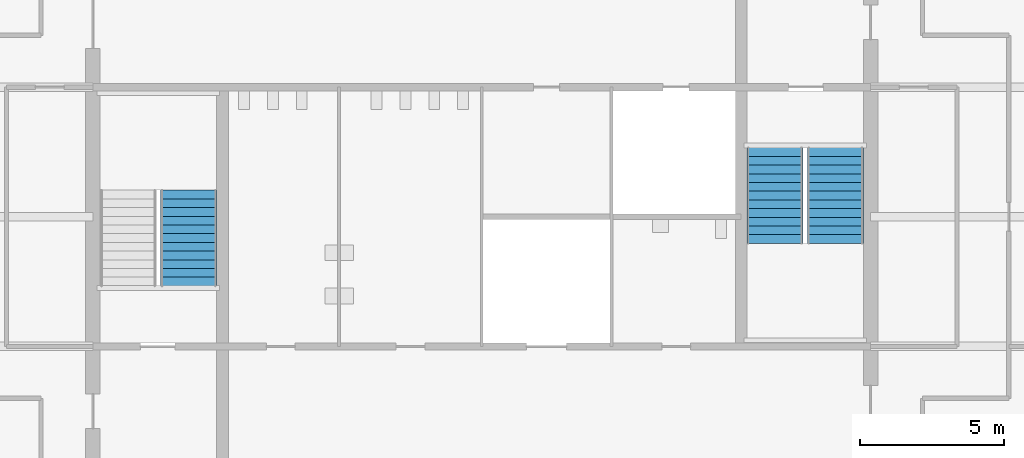
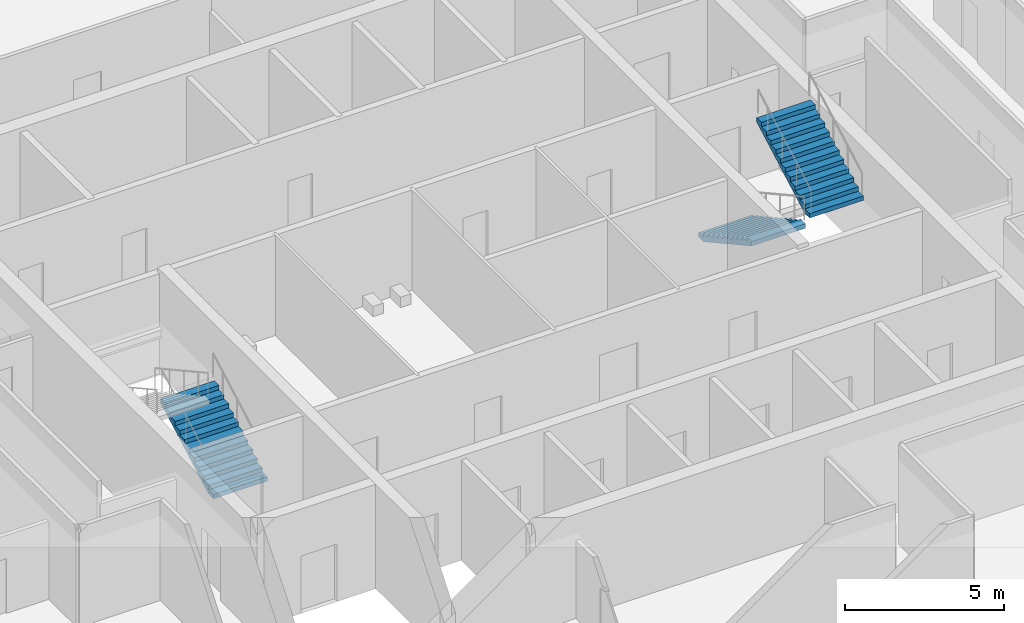
# One storey, part 11 of 13: 3 stair flights, 2 elements without a shape of their own.
"""IFC4 building model written with IfcOpenShell, lengths in metres."""

from ifc_helpers import new_model, si_unit, direction, frame, origin, place, context, subcontext, project, spatial, polyline, outline, extrude, material, type_object, element, aggregate, save


model = new_model("IFC4")

# Units and contexts
model_context = context("Model", 3, precision=1e-05, world=origin(), true_north=direction((0.0, 1.0)))
body_context = subcontext(model_context, "Body", "Model", "MODEL_VIEW")
ifc_project = project(units=[si_unit("LENGTHUNIT", "METRE"), si_unit("AREAUNIT", "SQUARE_METRE"), si_unit("VOLUMEUNIT", "CUBIC_METRE"), si_unit("PLANEANGLEUNIT", "RADIAN"), si_unit("MASSUNIT", "GRAM", prefix="KILO")], contexts=[model_context])

# Site, building, storey
site_placement = place(None, origin())
site = spatial("IfcSite", under=ifc_project, at=site_placement, CompositionType="ELEMENT")
building_placement = place(site_placement, origin())
building = spatial("IfcBuilding", under=site, at=building_placement, Name="Corais Broadcast Tower", CompositionType="ELEMENT")
storey_placement = place(building_placement, frame((0.0, 0.0, 179.60009765625)))
storey = spatial("IfcBuildingStorey", under=building, at=storey_placement, Name="L41", CompositionType="ELEMENT", Elevation=179.60009765625)

# Stair, stair flight
ifc_material_1 = material(Name="Concrete C30/37", Category="concrete")
stair_type = type_object("IfcStairType", Name="Half-turn stair 4000", PredefinedType="HALF_TURN_STAIR", material=ifc_material_1)
stair_1_placement = place(storey_placement, origin())
stair_1 = element("IfcStair", 1, at=stair_1_placement, inside=storey, type_object=stair_type, Name="Stair A L41", PredefinedType="HALF_TURN_STAIR")
ifc_material_2 = material(Name="Concrete C30/37", Category="concrete")
stair_flight_type = type_object("IfcStairFlightType", Name="Stair flight 4000", PredefinedType="STRAIGHT", material=ifc_material_2)
stair_flight_1_placement = place(storey_placement, frame((16.824951171875, 24.60009765625, 0.0), z_axis=(0.0, 0.0, 1.0), x_axis=(0.0, 1.0, 0.0)))
stair_flight_1 = element("IfcStairFlight", 2, at=stair_flight_1_placement, type_object=stair_flight_type, Name="STA flight 1", NumberOfRisers=12, NumberOfTreads=11, PredefinedType="STRAIGHT", RiserHeight=0.166666667, TreadLength=0.302, context=body_context, shape_type="SweptSolid", body=[
    extrude(outline(polyline([(0.0, 0.0), (0.0, 0.166748046875), (0.302001953125, 0.166748046875), (0.302001953125, 0.333251953125), (0.60400390625, 0.333251953125), (0.60400390625, 0.5), (0.906005859375, 0.5), (0.906005859375, 0.666748046875), (1.2080078125, 0.666748046875), (1.2080078125, 0.833251953125), (1.510009765625, 0.833251953125), (1.510009765625, 1.0), (1.81201171875, 1.0), (1.81201171875, 1.166748046875), (2.114013671875, 1.166748046875), (2.114013671875, 1.333251953125), (2.416015625, 1.333251953125), (2.416015625, 1.5), (2.718017578125, 1.5), (2.718017578125, 1.666748046875), (3.02001953125, 1.666748046875), (3.02001953125, 1.833251953125), (3.322021484375, 1.833251953125), (3.322021484375, 2.0), (3.322021484375, 1.662109375), (0.310302734375, 0.0), (0.0, 0.0)])), frame((0.0, 0.97509765625, 0.0), z_axis=(0.0, -1.0, 0.0), x_axis=(1.0, 0.0, 0.0)), (0.0, 0.0, 1.0), 1.949951171875),
])
aggregate(stair_1, [stair_flight_1])

# Stair, stair flights
stair_2_placement = place(storey_placement, origin())
stair_2 = element("IfcStair", 3, at=stair_2_placement, inside=storey, type_object=stair_type, Name="Stair B L41", PredefinedType="HALF_TURN_STAIR")
stair_flight_2_placement = place(storey_placement, frame((37.175048828125, 29.39990234375, 0.0), z_axis=(0.0, 0.0, 1.0), x_axis=(0.0, -1.0, 0.0)))
stair_flight_2 = element("IfcStairFlight", 4, at=stair_flight_2_placement, type_object=stair_flight_type, Name="STB flight 1", NumberOfRisers=12, NumberOfTreads=11, PredefinedType="STRAIGHT", RiserHeight=0.166666667, TreadLength=0.302, context=body_context, shape_type="SweptSolid", body=[
    extrude(outline(polyline([(0.0, 0.0), (0.0, 0.166748046875), (0.302001953125, 0.166748046875), (0.302001953125, 0.333251953125), (0.60400390625, 0.333251953125), (0.60400390625, 0.5), (0.906005859375, 0.5), (0.906005859375, 0.666748046875), (1.2080078125, 0.666748046875), (1.2080078125, 0.833251953125), (1.510009765625, 0.833251953125), (1.510009765625, 1.0), (1.81201171875, 1.0), (1.81201171875, 1.166748046875), (2.114013671875, 1.166748046875), (2.114013671875, 1.333251953125), (2.416015625, 1.333251953125), (2.416015625, 1.5), (2.718017578125, 1.5), (2.718017578125, 1.666748046875), (3.02001953125, 1.666748046875), (3.02001953125, 1.833251953125), (3.322021484375, 1.833251953125), (3.322021484375, 2.0), (3.322021484375, 1.662109375), (0.310302734375, 0.0), (0.0, 0.0)])), frame((0.0, 0.97509765625, 0.0), z_axis=(0.0, -1.0, 0.0), x_axis=(1.0, 0.0, 0.0)), (0.0, 0.0, 1.0), 1.949951171875),
])
stair_flight_3_placement = place(storey_placement, frame((39.27490234375, 26.077880859375, 2.0), z_axis=(0.0, 0.0, 1.0), x_axis=(0.0, 1.0, 0.0)))
stair_flight_3 = element("IfcStairFlight", 5, at=stair_flight_3_placement, type_object=stair_flight_type, Name="STB flight 2", NumberOfRisers=12, NumberOfTreads=11, PredefinedType="STRAIGHT", RiserHeight=0.166666667, TreadLength=0.302, context=body_context, shape_type="SweptSolid", body=[
    extrude(outline(polyline([(0.0, 0.0), (0.0, 0.166748046875), (0.302001953125, 0.166748046875), (0.302001953125, 0.333251953125), (0.60400390625, 0.333251953125), (0.60400390625, 0.5), (0.906005859375, 0.5), (0.906005859375, 0.666748046875), (1.2080078125, 0.666748046875), (1.2080078125, 0.833251953125), (1.510009765625, 0.833251953125), (1.510009765625, 1.0), (1.81201171875, 1.0), (1.81201171875, 1.166748046875), (2.114013671875, 1.166748046875), (2.114013671875, 1.333251953125), (2.416015625, 1.333251953125), (2.416015625, 1.5), (2.718017578125, 1.5), (2.718017578125, 1.666748046875), (3.02001953125, 1.666748046875), (3.02001953125, 1.833251953125), (3.322021484375, 1.833251953125), (3.322021484375, 2.0), (3.322021484375, 1.662109375), (0.310302734375, 0.0), (0.0, 0.0)])), frame((0.0, 0.97509765625, 0.0), z_axis=(0.0, -1.0, 0.0), x_axis=(1.0, 0.0, 0.0)), (0.0, 0.0, 1.0), 1.949951171875),
])
aggregate(stair_2, [stair_flight_2, stair_flight_3])

save(model, "model.ifc")
